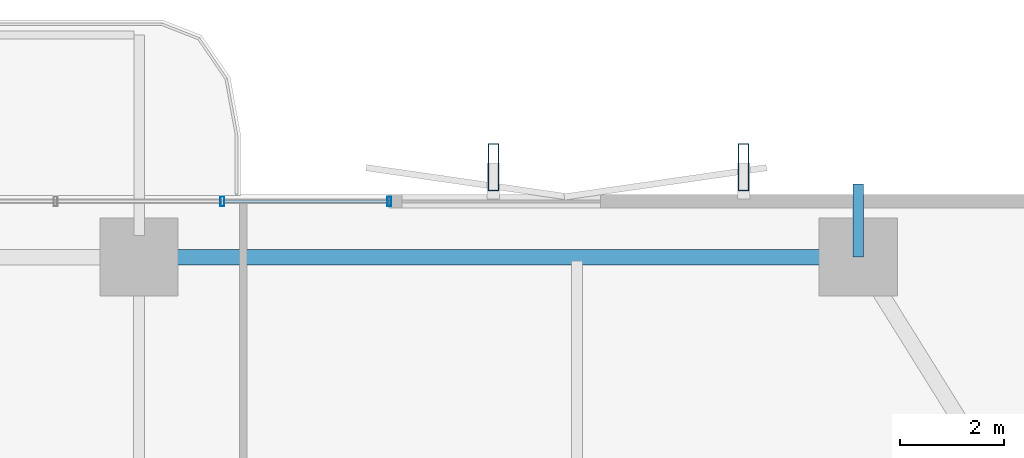
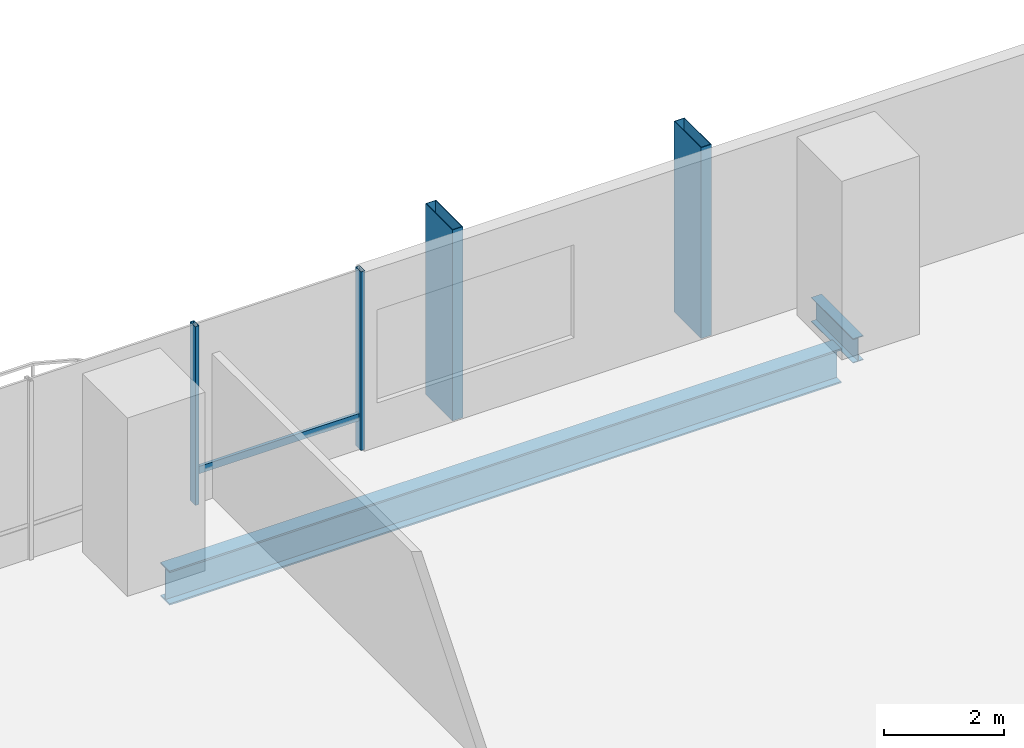
# One storey, part 15 of 24: 5 members, 2 beams, 1 element without a shape of its own.
"""IFC4 building model written with IfcOpenShell, lengths in metres."""

from ifc_helpers import new_model, si_unit, direction, frame, origin, origin_2d, place, context, subcontext, project, spatial, hollow_rectangle, i_section, extrude, material, layer, layer_set, material_profile, profile_set, type_object, element, aggregate, save


model = new_model("IFC4")

# Units and contexts
model_context = context("Model", 3, precision=1e-05, world=origin(), true_north=direction((0.0, 1.0)))
body_context = subcontext(model_context, "Body", "Model", "MODEL_VIEW")
ifc_project = project(units=[si_unit("LENGTHUNIT", "METRE"), si_unit("AREAUNIT", "SQUARE_METRE"), si_unit("VOLUMEUNIT", "CUBIC_METRE"), si_unit("PLANEANGLEUNIT", "RADIAN"), si_unit("MASSUNIT", "GRAM", prefix="KILO")], contexts=[model_context])

# Site, building, storey
site_placement = place(None, origin())
site = spatial("IfcSite", under=ifc_project, at=site_placement, CompositionType="ELEMENT")
building_placement = place(site_placement, origin())
building = spatial("IfcBuilding", under=site, at=building_placement, Name="Belovzor Exchange Tower", CompositionType="ELEMENT")
storey_placement = place(building_placement, frame((0.0, 0.0, 96.300048828125)))
storey = spatial("IfcBuildingStorey", under=building, at=storey_placement, Name="L23", CompositionType="ELEMENT", Elevation=96.300048828125)

# Beam
ifc_material_1 = material(Name="Steel S355", Category="steel")
ifc_material_profile_1 = material_profile(ifc_material_1, i_section(OverallWidth=0.199951171875, OverallDepth=0.5, WebThickness=0.01025390625, FlangeThickness=0.01611328125, at=origin_2d()))
ifc_profile_set_1 = profile_set([ifc_material_profile_1], Name="Steel S355")
beam_type_1 = type_object("IfcBeamType", Name="Planted Balcony Cantilever Beam IPE 500", PredefinedType="BEAM", material=ifc_profile_set_1)
beam_1_placement = place(storey_placement, frame((42.60009765625, 55.5, -0.5), z_axis=(0.0, 1.0, 0.0), x_axis=(-1.0, 0.0, 0.0)))
element("IfcBeam", 1, at=beam_1_placement, inside=storey, type_object=beam_type_1, Name="BC-500 Planted Balcony Cantilever Beam IPE 500", PredefinedType="BEAM", context=body_context, shape_type="SweptSolid", body=[
    extrude(i_section(OverallWidth=0.199951171875, OverallDepth=0.5, WebThickness=0.01025390625, FlangeThickness=0.01611328125, at=origin_2d()), origin(), (0.0, 0.0, 1.0), 1.39990234375),
])

# Members
ifc_material_2 = material(Name="Extruded Architectural Terracotta on Steel S355 Carrier", Category="masonry")
ifc_material_profile_2 = material_profile(ifc_material_2, hollow_rectangle(XDim=0.199951171875, YDim=0.89990234375, WallThickness=0.011962890625, at=origin_2d()))
ifc_profile_set_2 = profile_set([ifc_material_profile_2], Name="Extruded Architectural Terracotta on Steel S355 Carrier")
member_type_1 = type_object("IfcMemberType", Name="Sweeping Terracotta Baguette Fin Assembly 1250", PredefinedType="USERDEFINED", material=ifc_profile_set_2)
for number, where, z_axis, x_axis, name in (
    (2, (35.60009765625, 57.22509765625, -0.25), (0.0, 0.0, 1.0), (1.0, 0.0, 0.0), "FIN-TC125 Terracotta Facade Fin L23 N3"),
    (3, (40.39990234375, 57.22509765625, -0.25), (0.0, 0.0, 1.0), (1.0, 0.0, 0.0), "FIN-TC125 Terracotta Facade Fin L23 N4"),
):
    element("IfcMember", number, at=place(storey_placement, frame(where, z_axis=z_axis, x_axis=x_axis)), inside=storey, type_object=member_type_1, Name=name, ObjectType="FIN", PredefinedType="USERDEFINED", context=body_context, shape_type="SweptSolid", body=[
        extrude(hollow_rectangle(XDim=0.199951171875, YDim=0.89990234375, WallThickness=0.011962890625, at=origin_2d()), origin(), (0.0, 0.0, 1.0), 3.89990234375),
    ])

# Curtain wall, members
ifc_material_3 = material(Name="Anodised Aluminium Framing", Category="aluminium")
ifc_layer = layer(ifc_material_3, 0.179931640625)
ifc_layer_set = layer_set([ifc_layer], Name="Anodised Aluminium Framing")
curtain_wall_type = type_object("IfcCurtainWallType", Name="Recessed Loggia Low-Iron Triple-Glazed Curtain Wall", PredefinedType="NOTDEFINED", material=ifc_layer_set)
curtain_wall_placement = place(storey_placement, origin())
curtain_wall = element("IfcCurtainWall", 4, at=curtain_wall_placement, inside=storey, type_object=curtain_wall_type, Name="CW3 Recessed Loggia Low-Iron Triple-Glazed Curtain Wall L23", PredefinedType="NOTDEFINED")
ifc_material_4 = material(Name="Steel S355", Category="steel")
ifc_material_profile_3 = material_profile(ifc_material_4, hollow_rectangle(XDim=0.074951171875, YDim=0.179931640625, WallThickness=0.0048828125, at=origin_2d()))
ifc_profile_set_3 = profile_set([ifc_material_profile_3], Name="Steel S355")
member_type_2 = type_object("IfcMemberType", Name="Thermally Broken Curtain Wall Mullion 180x75", PredefinedType="MULLION", material=ifc_profile_set_3)
member_1_placement = place(storey_placement, frame((30.39990234375, 56.570068359375, 0.0), z_axis=(0.0, 0.0, 1.0), x_axis=(1.0, 0.0, 0.0)))
member_1 = element("IfcMember", 5, at=member_1_placement, type_object=member_type_2, Name="CW-M180 Curtain Wall Mullion 3", PredefinedType="MULLION", context=body_context, shape_type="SweptSolid", body=[
    extrude(hollow_rectangle(XDim=0.074951171875, YDim=0.179931640625, WallThickness=0.0048828125, at=origin_2d()), origin(), (0.0, 0.0, 1.0), 3.64990234375),
])
member_2_placement = place(storey_placement, frame((33.60009765625, 56.570068359375, 0.0), z_axis=(0.0, 0.0, 1.0), x_axis=(1.0, 0.0, 0.0)))
member_2 = element("IfcMember", 6, at=member_2_placement, type_object=member_type_2, Name="CW-M180 Curtain Wall Mullion 4", PredefinedType="MULLION", context=body_context, shape_type="SweptSolid", body=[
    extrude(hollow_rectangle(XDim=0.074951171875, YDim=0.179931640625, WallThickness=0.0048828125, at=origin_2d()), origin(), (0.0, 0.0, 1.0), 3.64990234375),
])
ifc_material_5 = material(Name="Steel S355", Category="steel")
ifc_material_profile_4 = material_profile(ifc_material_5, hollow_rectangle(XDim=0.06005859375, YDim=0.14990234375, WallThickness=0.00390625, at=origin_2d()))
ifc_profile_set_4 = profile_set([ifc_material_profile_4], Name="Steel S355")
member_type_3 = type_object("IfcMemberType", Name="Thermally Broken Curtain Wall Transom 150x60", PredefinedType="USERDEFINED", material=ifc_profile_set_4)
member_3_placement = place(storey_placement, frame((30.407958984375, 56.570068359375, 0.64990234375), z_axis=(1.0, 0.0, 0.0), x_axis=(0.0, 1.0, 0.0)))
member_3 = element("IfcMember", 7, at=member_3_placement, type_object=member_type_3, Name="CW-T150 Curtain Wall Transom 3", ObjectType="TRANSOM", PredefinedType="USERDEFINED", context=body_context, shape_type="SweptSolid", body=[
    extrude(hollow_rectangle(XDim=0.06005859375, YDim=0.14990234375, WallThickness=0.00390625, at=origin_2d()), origin(), (0.0, 0.0, 1.0), 3.18408203125),
])
aggregate(curtain_wall, [member_1, member_2, member_3])

# Beam
ifc_material_6 = material(Name="Steel S355", Category="steel")
ifc_material_profile_5 = material_profile(ifc_material_6, i_section(OverallWidth=0.300048828125, OverallDepth=0.699951171875, WebThickness=0.01708984375, FlangeThickness=0.031982421875, at=origin_2d()))
ifc_profile_set_5 = profile_set([ifc_material_profile_5], Name="Steel S355")
beam_type_2 = type_object("IfcBeamType", Name="Zone 1 Primary Perimeter Girder HEB 700", PredefinedType="BEAM", material=ifc_profile_set_5)
beam_2_placement = place(storey_placement, frame((42.18798828125, 55.5, -0.60009765625), z_axis=(-1.0, 0.0, 0.0), x_axis=(0.0, -1.0, 0.0)))
element("IfcBeam", 8, at=beam_2_placement, inside=storey, type_object=beam_type_2, Name="FG-Z1 Zone 1 Primary Perimeter Girder HEB 700", PredefinedType="BEAM", context=body_context, shape_type="SweptSolid", body=[
    extrude(i_section(OverallWidth=0.300048828125, OverallDepth=0.699951171875, WebThickness=0.01708984375, FlangeThickness=0.031982421875, at=origin_2d()), origin(), (0.0, 0.0, 1.0), 12.97509765625),
])

save(model, "model.ifc")
